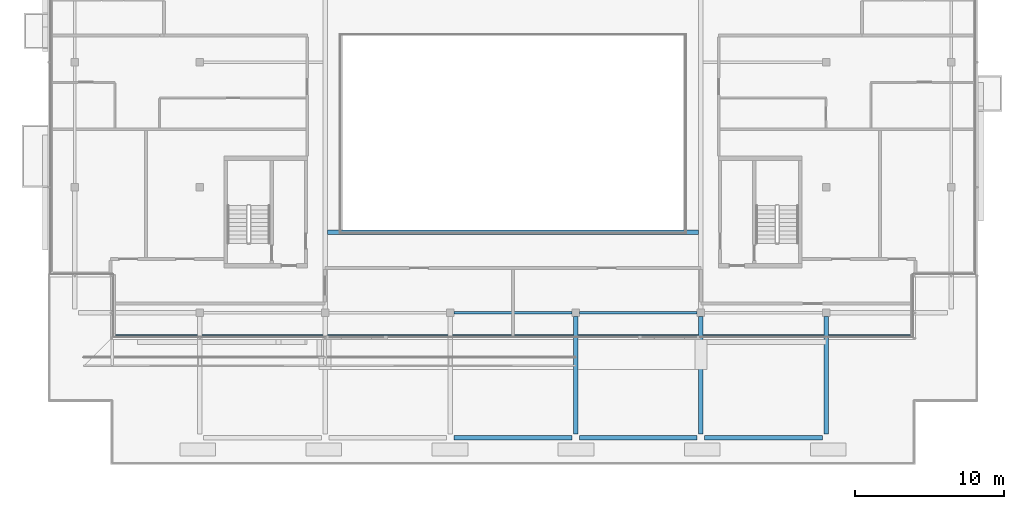
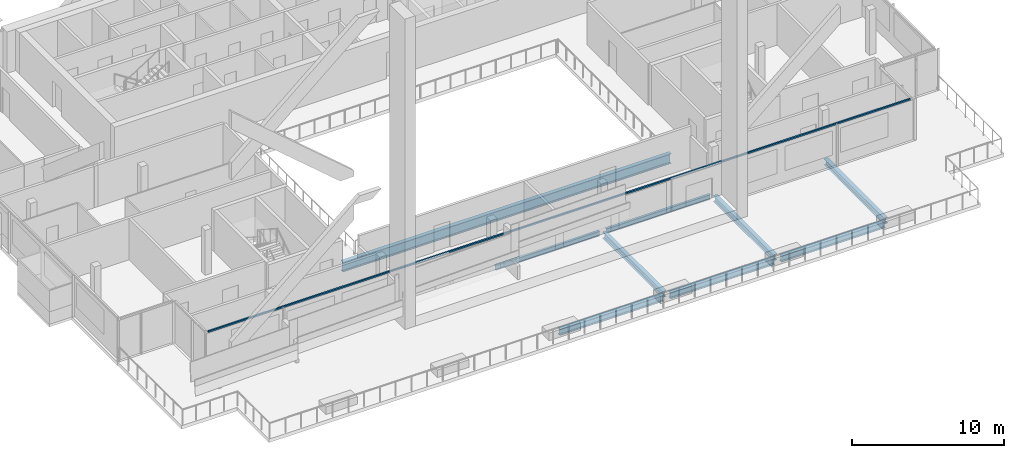
# One storey, part 4 of 22: 9 beams, 1 member, 1 element without a shape of its own.
"""IFC4 building model written with IfcOpenShell, lengths in metres."""

from ifc_helpers import new_model, si_unit, direction, frame, origin, origin_2d, place, context, subcontext, project, spatial, rectangle, i_section, extrude, material, material_profile, profile_set, type_object, element, aggregate, save


model = new_model("IFC4")

# Units and contexts
model_context = context("Model", 3, precision=1e-05, world=origin(), true_north=direction((0.0, 1.0)))
body_context = subcontext(model_context, "Body", "Model", "MODEL_VIEW")
ifc_project = project(units=[si_unit("LENGTHUNIT", "METRE"), si_unit("AREAUNIT", "SQUARE_METRE"), si_unit("VOLUMEUNIT", "CUBIC_METRE"), si_unit("PLANEANGLEUNIT", "RADIAN"), si_unit("MASSUNIT", "GRAM", prefix="KILO")], contexts=[model_context])

# Site, building, storey
site_placement = place(None, origin())
site = spatial("IfcSite", under=ifc_project, at=site_placement, CompositionType="ELEMENT")
building_placement = place(site_placement, origin())
building = spatial("IfcBuilding", under=site, at=building_placement, Name="Saffron Gate Tower", CompositionType="ELEMENT")
storey_placement = place(building_placement, frame((0.0, 0.0, 285.14990234375)))
storey = spatial("IfcBuildingStorey", under=building, at=storey_placement, Name="L69", CompositionType="ELEMENT", Elevation=285.14990234375)

# Beams
ifc_material_1 = material(Name="Structural steel S355", Category="steel")
ifc_material_profile_1 = material_profile(ifc_material_1, i_section(OverallWidth=0.300048828125, OverallDepth=0.7900390625, WebThickness=0.014892578125, FlangeThickness=0.028076171875, FilletRadius=0.030029296875, at=origin_2d()))
ifc_profile_set_1 = profile_set([ifc_material_profile_1], Name="Structural steel S355")
beam_type_1 = type_object("IfcBeamType", Name="B18 HEA 800", PredefinedType="BEAM", material=ifc_profile_set_1)
beam_1_placement = place(storey_placement, frame((75.14990234375, 45.60009765625, -0.6748046875), z_axis=(1.0, 0.0, 0.0), x_axis=(0.0, 1.0, 0.0)))
element("IfcBeam", 1, at=beam_1_placement, inside=storey, type_object=beam_type_1, Name="B18 ATRIUM GIRDER", PredefinedType="BEAM", context=body_context, shape_type="SweptSolid", body=[
    extrude(i_section(OverallWidth=0.300048828125, OverallDepth=0.7900390625, WebThickness=0.014892578125, FlangeThickness=0.028076171875, FilletRadius=0.030029296875, at=origin_2d()), origin(), (0.0, 0.0, 1.0), 24.900146484375),
])
ifc_material_profile_2 = material_profile(ifc_material_1, i_section(OverallWidth=0.179931640625, OverallDepth=0.39990234375, WebThickness=0.008544921875, FlangeThickness=0.013427734375, FilletRadius=0.02099609375, at=origin_2d()))
ifc_profile_set_2 = profile_set([ifc_material_profile_2], Name="Structural steel S355")
beam_type_2 = type_object("IfcBeamType", Name="B5 IPE 400", PredefinedType="SPANDREL", material=ifc_profile_set_2)
beam_2_placement = place(storey_placement, frame((83.64990234375, 40.199951171875, -0.47998046875), z_axis=(1.0, 0.0, 0.0), x_axis=(0.0, 1.0, 0.0)))
element("IfcBeam", 2, at=beam_2_placement, inside=storey, type_object=beam_type_2, Name="B5 SPANDREL BEAM", PredefinedType="SPANDREL", context=body_context, shape_type="SweptSolid", body=[
    extrude(i_section(OverallWidth=0.179931640625, OverallDepth=0.39990234375, WebThickness=0.008544921875, FlangeThickness=0.013427734375, FilletRadius=0.02099609375, at=origin_2d()), origin(), (0.0, 0.0, 1.0), 7.900146484375),
])
beam_3_placement = place(storey_placement, frame((92.050048828125, 40.199951171875, -0.47998046875), z_axis=(1.0, 0.0, 0.0), x_axis=(0.0, 1.0, 0.0)))
element("IfcBeam", 3, at=beam_3_placement, inside=storey, type_object=beam_type_2, Name="B5 SPANDREL BEAM", PredefinedType="SPANDREL", context=body_context, shape_type="SweptSolid", body=[
    extrude(i_section(OverallWidth=0.179931640625, OverallDepth=0.39990234375, WebThickness=0.008544921875, FlangeThickness=0.013427734375, FilletRadius=0.02099609375, at=origin_2d()), origin(), (0.0, 0.0, 1.0), 7.89990234375),
])
ifc_material_profile_3 = material_profile(ifc_material_1, i_section(OverallWidth=0.300048828125, OverallDepth=0.489990234375, WebThickness=0.011962890625, FlangeThickness=0.02294921875, FilletRadius=0.027099609375, at=origin_2d()))
ifc_profile_set_3 = profile_set([ifc_material_profile_3], Name="Structural steel S355")
beam_type_3 = type_object("IfcBeamType", Name="B8 HEA 500", PredefinedType="BEAM", material=ifc_profile_set_3)
beam_4_placement = place(storey_placement, frame((83.64990234375, 31.800048828125, -0.52490234375), z_axis=(1.0, 0.0, 0.0), x_axis=(0.0, 1.0, 0.0)))
element("IfcBeam", 4, at=beam_4_placement, inside=storey, type_object=beam_type_3, Name="B8 TERRACE BEAM", PredefinedType="BEAM", context=body_context, shape_type="SweptSolid", body=[
    extrude(i_section(OverallWidth=0.300048828125, OverallDepth=0.489990234375, WebThickness=0.011962890625, FlangeThickness=0.02294921875, FilletRadius=0.027099609375, at=origin_2d()), origin(), (0.0, 0.0, 1.0), 7.900146484375),
])
for number, where, z_axis, x_axis, name in (
    (5, (92.050048828125, 31.800048828125, -0.52490234375), (1.0, 0.0, 0.0), (0.0, 1.0, 0.0), "B8 TERRACE BEAM"),
    (6, (91.800048828125, 32.050048828125, -0.52490234375), (0.0, 1.0, 0.0), (-1.0, 0.0, 0.0), "B8 TERRACE BEAM"),
):
    element("IfcBeam", number, at=place(storey_placement, frame(where, z_axis=z_axis, x_axis=x_axis)), inside=storey, type_object=beam_type_3, Name=name, PredefinedType="BEAM", context=body_context, shape_type="SweptSolid", body=[
        extrude(i_section(OverallWidth=0.300048828125, OverallDepth=0.489990234375, WebThickness=0.011962890625, FlangeThickness=0.02294921875, FilletRadius=0.027099609375, at=origin_2d()), origin(), (0.0, 0.0, 1.0), 7.89990234375),
    ])
beam_5_placement = place(storey_placement, frame((100.449951171875, 31.800048828125, -0.52490234375), z_axis=(1.0, 0.0, 0.0), x_axis=(0.0, 1.0, 0.0)))
element("IfcBeam", 7, at=beam_5_placement, inside=storey, type_object=beam_type_3, Name="B8 TERRACE BEAM", PredefinedType="BEAM", context=body_context, shape_type="SweptSolid", body=[
    extrude(i_section(OverallWidth=0.300048828125, OverallDepth=0.489990234375, WebThickness=0.011962890625, FlangeThickness=0.02294921875, FilletRadius=0.027099609375, at=origin_2d()), origin(), (0.0, 0.0, 1.0), 7.900146484375),
])
for number, where, z_axis, x_axis, name in (
    (8, (100.199951171875, 32.050048828125, -0.52490234375), (0.0, 1.0, 0.0), (-1.0, 0.0, 0.0), "B8 TERRACE BEAM"),
    (9, (108.60009765625, 32.050048828125, -0.52490234375), (0.0, 1.0, 0.0), (-1.0, 0.0, 0.0), "B8 TERRACE BEAM"),
):
    element("IfcBeam", number, at=place(storey_placement, frame(where, z_axis=z_axis, x_axis=x_axis)), inside=storey, type_object=beam_type_3, Name=name, PredefinedType="BEAM", context=body_context, shape_type="SweptSolid", body=[
        extrude(i_section(OverallWidth=0.300048828125, OverallDepth=0.489990234375, WebThickness=0.011962890625, FlangeThickness=0.02294921875, FilletRadius=0.027099609375, at=origin_2d()), origin(), (0.0, 0.0, 1.0), 7.89990234375),
    ])

# Curtain wall, member
ifc_material_2 = material(Name="Aluminium, bronze anodised", Category="aluminium")
curtain_wall_type = type_object("IfcCurtainWallType", Name="CWS1 curtain wall front facade", PredefinedType="NOTDEFINED", material=ifc_material_2)
curtain_wall_placement = place(storey_placement, origin())
curtain_wall = element("IfcCurtainWall", 10, at=curtain_wall_placement, inside=storey, type_object=curtain_wall_type, Name="CWS1 run 1", PredefinedType="NOTDEFINED")
ifc_material_profile_4 = material_profile(ifc_material_2, rectangle(XDim=0.1201171875, YDim=0.1201171875, at=origin_2d()))
ifc_profile_set_4 = profile_set([ifc_material_profile_4], Name="Aluminium, bronze anodised")
member_type = type_object("IfcMemberType", Name="CWS1 head transom", PredefinedType="USERDEFINED", material=ifc_profile_set_4)
member_placement = place(storey_placement, frame((60.968017578125, 38.64794921875, 3.260009765625), z_axis=(1.0, 0.0, 0.0), x_axis=(0.0, 1.0, 0.0)))
member = element("IfcMember", 11, at=member_placement, type_object=member_type, Name="CWS1 head transom", ObjectType="TRANSOM", PredefinedType="USERDEFINED", context=body_context, shape_type="SweptSolid", body=[
    extrude(rectangle(XDim=0.1201171875, YDim=0.1201171875, at=origin_2d()), origin(), (0.0, 0.0, 1.0), 53.263916015625),
])
aggregate(curtain_wall, [member])

save(model, "model.ifc")
